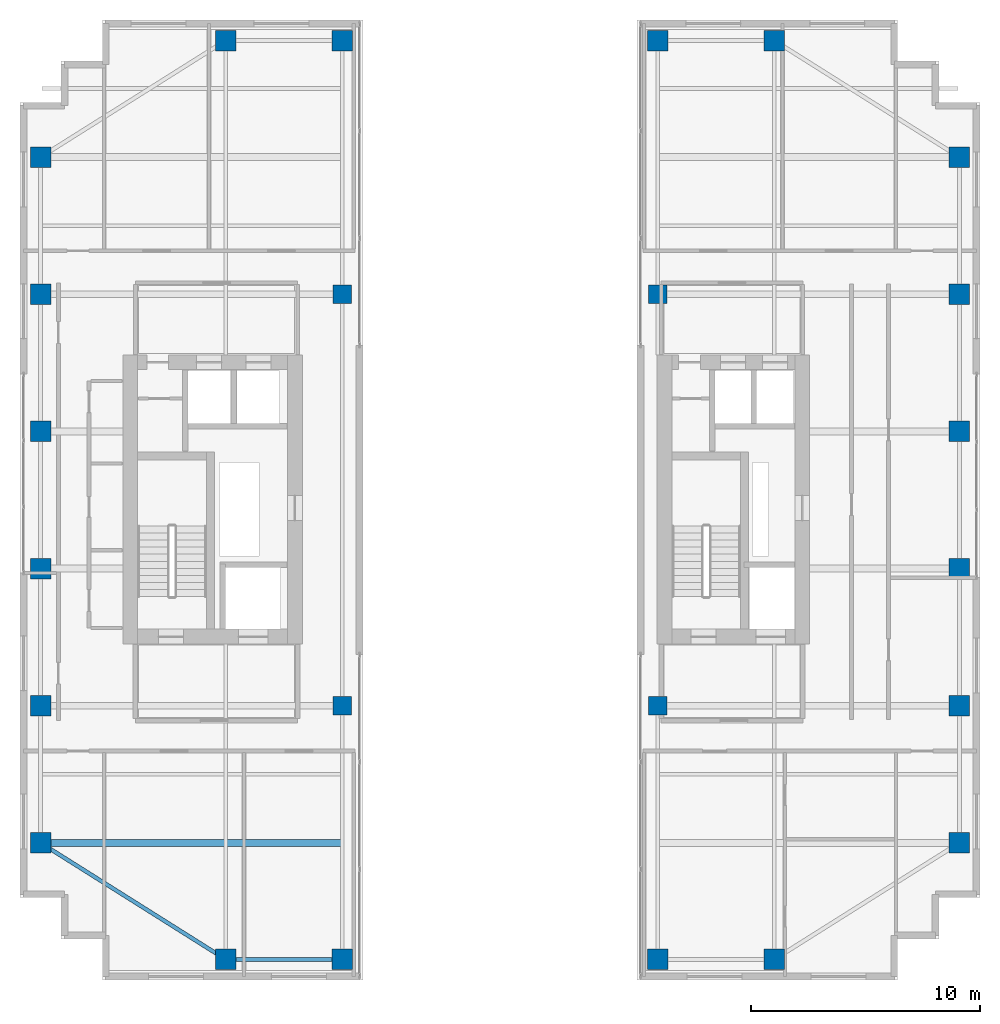
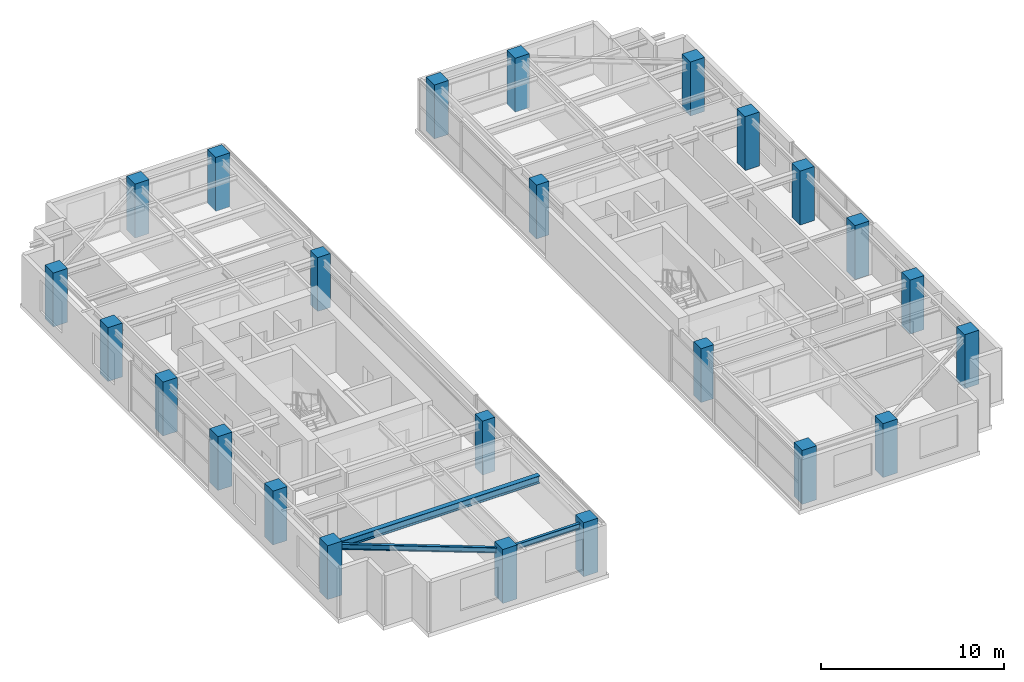
# One storey, part 1 of 21: 24 columns, 3 beams.
"""IFC4 building model written with IfcOpenShell, lengths in metres."""

import ifcopenshell
import ifcopenshell.guid

model = None  # the IFC model being written
_history = None  # IfcOwnerHistory: only IFC2X3 demands one
_inside = {}  # id of a spatial element -> (the spatial element, [elements in it])
_under = {}  # id of a project, library or spatial element -> (it, [spatial elements below it])
_declared = {}  # id of a project -> (the project, [libraries it declares])
_typed = {}  # id of a type object -> (the type object, [elements of that type])
_made_of = {}  # id of a material, layer set ... -> (it, [elements and type objects made of it])


def new_model(schema):
    """Start an empty IFC model of exactly this schema.

    Asked for "IFC4X3", IfcOpenShell would pick the latest addendum, in which some entities
    have other attributes; the version numbers below select the first issue.
    IFC2X3 requires an IfcOwnerHistory on every rooted entity: one is made here for all.
    """
    global model, _history
    if schema == "IFC4X3":
        model = ifcopenshell.file(schema_version=(4, 3, 0, 0))
    else:
        model = ifcopenshell.file(schema=schema)
    _inside.clear()
    _under.clear()
    _declared.clear()
    _typed.clear()
    _made_of.clear()
    _history = None
    if model.schema == "IFC2X3":
        org = make("IfcOrganization", Name="unknown")
        user = make(
            "IfcPersonAndOrganization",
            ThePerson=make("IfcPerson", FamilyName="unknown"),
            TheOrganization=org,
        )
        app = make(
            "IfcApplication",
            ApplicationDeveloper=org,
            Version="unknown",
            ApplicationFullName="unknown",
            ApplicationIdentifier="unknown",
        )
        _history = make(
            "IfcOwnerHistory",
            OwningUser=user,
            OwningApplication=app,
            ChangeAction="ADDED",
            CreationDate=0,
        )
    return model


def make(cls, **values):
    """One entity of the class cls with the attributes given. An attribute that is None is left unset."""
    return model.create_entity(
        cls, **{name: value for name, value in values.items() if value is not None}
    )


def rooted(cls, **values):
    """An entity with a GlobalId (a new one), such as an element, a storey or a relation."""
    return make(cls, GlobalId=ifcopenshell.guid.new(), OwnerHistory=_history, **values)


def si_unit(unit_type, name, prefix=None):
    """IfcSIUnit, for example si_unit("LENGTHUNIT", "METRE", prefix="MILLI")."""
    return make("IfcSIUnit", UnitType=unit_type, Prefix=prefix, Name=name)


def assignment(units):
    """IfcUnitAssignment: the units of a project."""
    return None if units is None else make("IfcUnitAssignment", Units=units)


def point(xyz):
    """IfcCartesianPoint."""
    return None if xyz is None else make("IfcCartesianPoint", Coordinates=xyz)


def direction(xyz):
    """IfcDirection."""
    return None if xyz is None else make("IfcDirection", DirectionRatios=xyz)


def frame(location, z_axis=None, x_axis=None):
    """IfcAxis2Placement3D, a coordinate frame: its origin and axes. An axis left out is left unset."""
    return make(
        "IfcAxis2Placement3D",
        Location=point(location),
        Axis=direction(z_axis),
        RefDirection=direction(x_axis),
    )


def frame_2d(location, x_axis=None):
    """IfcAxis2Placement2D, a coordinate frame in the plane: its origin and x axis."""
    return make(
        "IfcAxis2Placement2D", Location=point(location), RefDirection=direction(x_axis)
    )


def origin():
    """The frame at (0, 0, 0) with its axes left unset."""
    return frame((0.0, 0.0, 0.0))


def origin_2d():
    """The frame at (0, 0) in the plane with its x axis left unset."""
    return frame_2d((0.0, 0.0))


def place(relative_to, where):
    """IfcLocalPlacement: puts the frame where relative to a parent placement (None: the world)."""
    return make(
        "IfcLocalPlacement", PlacementRelTo=relative_to, RelativePlacement=where
    )


def context(
    kind, dimensions, precision=None, world=None, true_north=None, identifier=None
):
    """IfcGeometricRepresentationContext, for example the 3D "Model" context."""
    return make(
        "IfcGeometricRepresentationContext",
        ContextIdentifier=identifier,
        ContextType=kind,
        CoordinateSpaceDimension=dimensions,
        Precision=precision,
        WorldCoordinateSystem=world,
        TrueNorth=true_north,
    )


def subcontext(parent, identifier, kind, view, scale=None):
    """IfcGeometricRepresentationSubContext, for example "Body" below "Model"."""
    return make(
        "IfcGeometricRepresentationSubContext",
        ContextIdentifier=identifier,
        ContextType=kind,
        ParentContext=parent,
        TargetScale=scale,
        TargetView=view,
    )


def project(units=None, contexts=None):
    """IfcProject with its units and contexts."""
    return rooted(
        "IfcProject",
        Name="project",
        RepresentationContexts=contexts,
        UnitsInContext=assignment(units),
    )


def spatial(cls, under=None, at=None, **own):
    """A site, building, storey or space (cls), placed at a placement, below another one or the project."""
    s = rooted(cls, ObjectPlacement=at, **own)
    if under is not None:
        _under.setdefault(under.id(), (under, []))[1].append(s)
    return s


def profile(cls, at=None, kind="AREA", **sizes):
    """A parametric profile (cls). Its sizes go by their IFC names, for example OverallWidth=200.0."""
    return make(cls, ProfileType=kind, Position=at, **sizes)


def rectangle(**sizes):
    """IfcRectangleProfileDef."""
    return profile("IfcRectangleProfileDef", **sizes)


def i_section(**sizes):
    """IfcIShapeProfileDef."""
    return profile("IfcIShapeProfileDef", **sizes)


def extrude(swept, where, along, depth):
    """IfcExtrudedAreaSolid: the profile swept, set in the frame where, extruded along a direction by depth."""
    return make(
        "IfcExtrudedAreaSolid",
        SweptArea=swept,
        Position=where,
        ExtrudedDirection=direction(along),
        Depth=depth,
    )


def shape(context_of_items, identifier, shape_type, items):
    """IfcShapeRepresentation: the items that make up one representation, for example the "Body"."""
    return make(
        "IfcShapeRepresentation",
        ContextOfItems=context_of_items,
        RepresentationIdentifier=identifier,
        RepresentationType=shape_type,
        Items=items,
    )


def source(mapping_origin, context_of_items, identifier, shape_type, items):
    """IfcRepresentationMap: a shape defined once, which mapped items show again and again."""
    return make(
        "IfcRepresentationMap",
        MappingOrigin=mapping_origin,
        MappedRepresentation=shape(context_of_items, identifier, shape_type, items),
    )


def transform(
    local_origin,
    x_axis=None,
    y_axis=None,
    z_axis=None,
    scale=None,
    scale2=None,
    scale3=None,
    uniform=True,
):
    """IfcCartesianTransformationOperator3D, or its non-uniform kind. x_axis, y_axis, z_axis: its Axis1, 2, 3."""
    if uniform:
        return make(
            "IfcCartesianTransformationOperator3D",
            Axis1=direction(x_axis),
            Axis2=direction(y_axis),
            LocalOrigin=point(local_origin),
            Scale=scale,
            Axis3=direction(z_axis),
        )
    return make(
        "IfcCartesianTransformationOperator3DnonUniform",
        Axis1=direction(x_axis),
        Axis2=direction(y_axis),
        LocalOrigin=point(local_origin),
        Scale=scale,
        Axis3=direction(z_axis),
        Scale2=scale2,
        Scale3=scale3,
    )


def mapped(mapping_source, mapping_target):
    """IfcMappedItem: shows the shape of a source again, moved by a transform."""
    return make(
        "IfcMappedItem", MappingSource=mapping_source, MappingTarget=mapping_target
    )


def material(Name=None, Category=None):
    """IfcMaterial."""
    return make("IfcMaterial", Name=Name, Category=Category)


def material_profile(
    of_material, cross_section, Name=None, Category=None, Priority=None
):
    """IfcMaterialProfile: a cross section and its material."""
    return make(
        "IfcMaterialProfile",
        Name=Name,
        Material=of_material,
        Profile=cross_section,
        Priority=Priority,
        Category=Category,
    )


def profile_set(profiles, Name=None, composite=None):
    """IfcMaterialProfileSet."""
    return make(
        "IfcMaterialProfileSet",
        Name=Name,
        MaterialProfiles=profiles,
        CompositeProfile=composite,
    )


def made_of(thing, what):
    """Note that an element or type object is made of a material, layer set ...; save() writes the relation."""
    if what is not None:
        _made_of.setdefault(what.id(), (what, []))[1].append(thing)
    return thing


def type_object(cls, material=None, **own):
    """A type object (cls), such as IfcWallType, which elements share."""
    return made_of(rooted(cls, **own), material)


def element(
    cls,
    number,
    at=None,
    inside=None,
    cuts=None,
    type_object=None,
    material=None,
    context=None,
    identifier="Body",
    shape_type=None,
    held_by="IfcProductDefinitionShape",
    body=None,
    shapes=None,
    **own,
):
    """One element of the class cls, such as IfcWall. Its Tag is "e" and its number.

    at: its placement. inside: the storey or other place that contains it. cuts: it is an
    opening in that element (IfcRelVoidsElement). A single representation is given by context,
    identifier, shape_type and body (its items); several are given by shapes. held_by: the class
    of the entity that holds the representations. save() writes the other relations.
    """
    e = rooted(cls, Tag="e%d" % number, ObjectPlacement=at, **own)
    if body is not None:
        shapes = [shape(context, identifier, shape_type, body)]
    if shapes is not None:
        e.Representation = make(held_by, Representations=shapes)
    if inside is not None:
        _inside.setdefault(inside.id(), (inside, []))[1].append(e)
    if cuts is not None:
        rooted(
            "IfcRelVoidsElement", RelatingBuildingElement=cuts, RelatedOpeningElement=e
        )
    if type_object is not None:
        _typed.setdefault(type_object.id(), (type_object, []))[1].append(e)
    return made_of(e, material)


def aggregate(whole, parts):
    """IfcRelAggregates: a whole, such as a stair, and the parts it consists of."""
    return rooted("IfcRelAggregates", RelatingObject=whole, RelatedObjects=parts)


def save(model, path):
    """Write the relations noted so far, then the file.

    IfcRelAggregates (storeys below a building ...), IfcRelContainedInSpatialStructure (elements
    in a storey), IfcRelDefinesByType, IfcRelAssociatesMaterial and IfcRelDeclares: one each for
    every whole, place, type object, material and project.
    """
    for whole, parts in _under.values():
        aggregate(whole, parts)
    for where, things in _inside.values():
        rooted(
            "IfcRelContainedInSpatialStructure",
            RelatedElements=things,
            RelatingStructure=where,
        )
    for kind, things in _typed.values():
        rooted("IfcRelDefinesByType", RelatedObjects=things, RelatingType=kind)
    for what, things in _made_of.values():
        rooted("IfcRelAssociatesMaterial", RelatedObjects=things, RelatingMaterial=what)
    for by, libraries in _declared.values():
        rooted("IfcRelDeclares", RelatingContext=by, RelatedDefinitions=libraries)
    model.write(path)


model = new_model("IFC4")

# Units and contexts
model_context = context("Model", 3, precision=1e-05, world=origin(), true_north=direction((0.0, 1.0)))
body_context = subcontext(model_context, "Body", "Model", "MODEL_VIEW")
ifc_project = project(units=[si_unit("LENGTHUNIT", "METRE"), si_unit("AREAUNIT", "SQUARE_METRE"), si_unit("VOLUMEUNIT", "CUBIC_METRE"), si_unit("PLANEANGLEUNIT", "RADIAN"), si_unit("MASSUNIT", "GRAM", prefix="KILO")], contexts=[model_context])

# Site, building, storey
site_placement = place(None, origin())
site = spatial("IfcSite", under=ifc_project, at=site_placement, CompositionType="ELEMENT")
building_placement = place(site_placement, origin())
building = spatial("IfcBuilding", under=site, at=building_placement, Name="Khoralis Quay Care Tower", CompositionType="ELEMENT")
storey_placement = place(building_placement, frame((0.0, 0.0, 206.10009765625)))
storey = spatial("IfcBuildingStorey", under=building, at=storey_placement, Name="L54", CompositionType="ELEMENT", Elevation=206.10009765625)

# Columns
ifc_material_1 = material(Name="Concrete C65/80", Category="concrete")
ifc_material_profile_1 = material_profile(ifc_material_1, rectangle(XDim=0.89990234375, YDim=0.89990234375, at=origin_2d()), Name="Concrete C65/80")
ifc_profile_set_1 = profile_set([ifc_material_profile_1], Name="Concrete C65/80")
column_type_1 = type_object("IfcColumnType", Name="COL-C900", PredefinedType="COLUMN", material=ifc_profile_set_1)
shared_shape_1 = source(origin(), body_context, "Body", "SweptSolid", [
    extrude(rectangle(XDim=0.89990234375, YDim=0.89990234375, at=origin_2d()), origin(), (0.0, 0.0, 1.0), 3.599853515625),
])
for number, where, z_axis, x_axis, name in (
    (1, (12.0, 0.89990234375, 0.0), (0.0, 0.0, 1.0), (1.0, 0.0, 0.0), "COL-TWR-L54-01"),
    (2, (12.0, 41.10009765625, 0.0), (0.0, 0.0, 1.0), (1.0, 0.0, 0.0), "COL-TWR-L54-02"),
    (3, (17.10009765625, 0.89990234375, 0.0), (0.0, 0.0, 1.0), (1.0, 0.0, 0.0), "COL-TWR-L54-03"),
    (4, (17.10009765625, 41.10009765625, 0.0), (0.0, 0.0, 1.0), (1.0, 0.0, 0.0), "COL-TWR-L54-04"),
    (5, (30.89990234375, 0.89990234375, 0.0), (0.0, 0.0, 1.0), (1.0, 0.0, 0.0), "COL-TWR-L54-05"),
    (6, (30.89990234375, 41.10009765625, 0.0), (0.0, 0.0, 1.0), (1.0, 0.0, 0.0), "COL-TWR-L54-06"),
    (7, (36.0, 0.89990234375, 0.0), (0.0, 0.0, 1.0), (1.0, 0.0, 0.0), "COL-TWR-L54-07"),
    (8, (36.0, 41.10009765625, 0.0), (0.0, 0.0, 1.0), (1.0, 0.0, 0.0), "COL-TWR-L54-08"),
    (9, (3.89990234375, 6.0, 0.0), (0.0, 0.0, 1.0), (1.0, 0.0, 0.0), "COL-TWR-L54-09"),
    (10, (44.10009765625, 6.0, 0.0), (0.0, 0.0, 1.0), (1.0, 0.0, 0.0), "COL-TWR-L54-10"),
    (11, (3.89990234375, 12.0, 0.0), (0.0, 0.0, 1.0), (1.0, 0.0, 0.0), "COL-TWR-L54-11"),
    (12, (44.10009765625, 12.0, 0.0), (0.0, 0.0, 1.0), (1.0, 0.0, 0.0), "COL-TWR-L54-12"),
    (13, (3.89990234375, 18.0, 0.0), (0.0, 0.0, 1.0), (1.0, 0.0, 0.0), "COL-TWR-L54-13"),
    (14, (44.10009765625, 18.0, 0.0), (0.0, 0.0, 1.0), (1.0, 0.0, 0.0), "COL-TWR-L54-14"),
    (15, (3.89990234375, 24.0, 0.0), (0.0, 0.0, 1.0), (1.0, 0.0, 0.0), "COL-TWR-L54-15"),
    (16, (44.10009765625, 24.0, 0.0), (0.0, 0.0, 1.0), (1.0, 0.0, 0.0), "COL-TWR-L54-16"),
    (17, (3.89990234375, 30.0, 0.0), (0.0, 0.0, 1.0), (1.0, 0.0, 0.0), "COL-TWR-L54-17"),
    (18, (44.10009765625, 30.0, 0.0), (0.0, 0.0, 1.0), (1.0, 0.0, 0.0), "COL-TWR-L54-18"),
    (19, (3.89990234375, 36.0, 0.0), (0.0, 0.0, 1.0), (1.0, 0.0, 0.0), "COL-TWR-L54-19"),
    (20, (44.10009765625, 36.0, 0.0), (0.0, 0.0, 1.0), (1.0, 0.0, 0.0), "COL-TWR-L54-20"),
):
    element("IfcColumn", number, at=place(storey_placement, frame(where, z_axis=z_axis, x_axis=x_axis)), inside=storey, type_object=column_type_1, Name=name, PredefinedType="COLUMN", context=body_context, shape_type="MappedRepresentation", body=[
        mapped(shared_shape_1, transform((0.0, 0.0, 0.0), scale=1.0)),
    ])
ifc_material_2 = material(Name="Concrete C50/60", Category="concrete")
ifc_material_profile_2 = material_profile(ifc_material_2, rectangle(XDim=0.800048828125, YDim=0.800048828125, at=origin_2d()), Name="Concrete C50/60")
ifc_profile_set_2 = profile_set([ifc_material_profile_2], Name="Concrete C50/60")
column_type_2 = type_object("IfcColumnType", Name="COL-C800", PredefinedType="COLUMN", material=ifc_profile_set_2)
shared_shape_2 = source(origin(), body_context, "Body", "SweptSolid", [
    extrude(rectangle(XDim=0.800048828125, YDim=0.800048828125, at=origin_2d()), origin(), (0.0, 0.0, 1.0), 3.599853515625),
])
for number, where, z_axis, x_axis, name in (
    (21, (17.10009765625, 12.0, 0.0), (0.0, 0.0, 1.0), (1.0, 0.0, 0.0), "COL-TWR-L54-21"),
    (22, (17.10009765625, 30.0, 0.0), (0.0, 0.0, 1.0), (1.0, 0.0, 0.0), "COL-TWR-L54-22"),
    (23, (30.89990234375, 12.0, 0.0), (0.0, 0.0, 1.0), (1.0, 0.0, 0.0), "COL-TWR-L54-23"),
    (24, (30.89990234375, 30.0, 0.0), (0.0, 0.0, 1.0), (1.0, 0.0, 0.0), "COL-TWR-L54-24"),
):
    element("IfcColumn", number, at=place(storey_placement, frame(where, z_axis=z_axis, x_axis=x_axis)), inside=storey, type_object=column_type_2, Name=name, PredefinedType="COLUMN", context=body_context, shape_type="MappedRepresentation", body=[
        mapped(shared_shape_2, transform((0.0, 0.0, 0.0), scale=1.0)),
    ])

# Beams
ifc_material_3 = material(Name="Steel S355", Category="steel")
ifc_material_profile_3 = material_profile(ifc_material_3, i_section(OverallWidth=0.169921875, OverallDepth=0.360107421875, WebThickness=0.008056640625, FlangeThickness=0.0126953125, FilletRadius=0.01806640625, at=origin_2d()), Name="Steel S355")
ifc_profile_set_3 = profile_set([ifc_material_profile_3], Name="Steel S355")
beam_type_1 = type_object("IfcBeamType", Name="BM-IPE360", PredefinedType="SPANDREL", material=ifc_profile_set_3)
shared_shape_3 = source(origin(), body_context, "Body", "SweptSolid", [
    extrude(i_section(OverallWidth=0.169921875, OverallDepth=0.360107421875, WebThickness=0.008056640625, FlangeThickness=0.0126953125, FilletRadius=0.01806640625, at=origin_2d()), origin(), (0.0, 0.0, 1.0), 5.10009765625),
])
beam_1_placement = place(storey_placement, frame((12.0, 0.89990234375, 3.159912109375), z_axis=(1.0, 0.0, 0.0), x_axis=(0.0, 1.0, 0.0)))
element("IfcBeam", 25, at=beam_1_placement, inside=storey, type_object=beam_type_1, Name="BM-TSP-L54-01", PredefinedType="SPANDREL", context=body_context, shape_type="MappedRepresentation", body=[
    mapped(shared_shape_3, transform((0.0, 0.0, 0.0), scale=1.0)),
])
shared_shape_4 = source(origin(), body_context, "Body", "SweptSolid", [
    extrude(i_section(OverallWidth=0.169921875, OverallDepth=0.360107421875, WebThickness=0.008056640625, FlangeThickness=0.0126953125, FilletRadius=0.01806640625, at=origin_2d()), origin(), (0.0, 0.0, 1.0), 9.572021484375),
])
beam_2_placement = place(storey_placement, frame((12.0, 0.89990234375, 3.159912109375), z_axis=(-0.846231136359, 0.532815975602, 0.0), x_axis=(-0.532815975602, -0.846231136359, 0.0)))
element("IfcBeam", 26, at=beam_2_placement, inside=storey, type_object=beam_type_1, Name="BM-TCR-L54-15", PredefinedType="SPANDREL", context=body_context, shape_type="MappedRepresentation", body=[
    mapped(shared_shape_4, transform((0.0, 0.0, 0.0), scale=1.0)),
])
ifc_material_profile_4 = material_profile(ifc_material_3, i_section(OverallWidth=0.300048828125, OverallDepth=0.5, WebThickness=0.014404296875, FlangeThickness=0.028076171875, FilletRadius=0.027099609375, at=origin_2d()), Name="Steel S355")
ifc_profile_set_4 = profile_set([ifc_material_profile_4], Name="Steel S355")
beam_type_2 = type_object("IfcBeamType", Name="BM-HEB500", PredefinedType="BEAM", material=ifc_profile_set_4)
shared_shape_5 = source(origin(), body_context, "Body", "SweptSolid", [
    extrude(i_section(OverallWidth=0.300048828125, OverallDepth=0.5, WebThickness=0.014404296875, FlangeThickness=0.028076171875, FilletRadius=0.027099609375, at=origin_2d()), origin(), (0.0, 0.0, 1.0), 13.135009765625),
])
beam_3_placement = place(storey_placement, frame((3.89990234375, 6.0, 3.08984375), z_axis=(1.0, 0.0, 0.0), x_axis=(0.0, 1.0, 0.0)))
element("IfcBeam", 27, at=beam_3_placement, inside=storey, type_object=beam_type_2, Name="BM-TGXW-L54-60", PredefinedType="BEAM", context=body_context, shape_type="MappedRepresentation", body=[
    mapped(shared_shape_5, transform((0.0, 0.0, 0.0), scale=1.0)),
])

save(model, "model.ifc")
